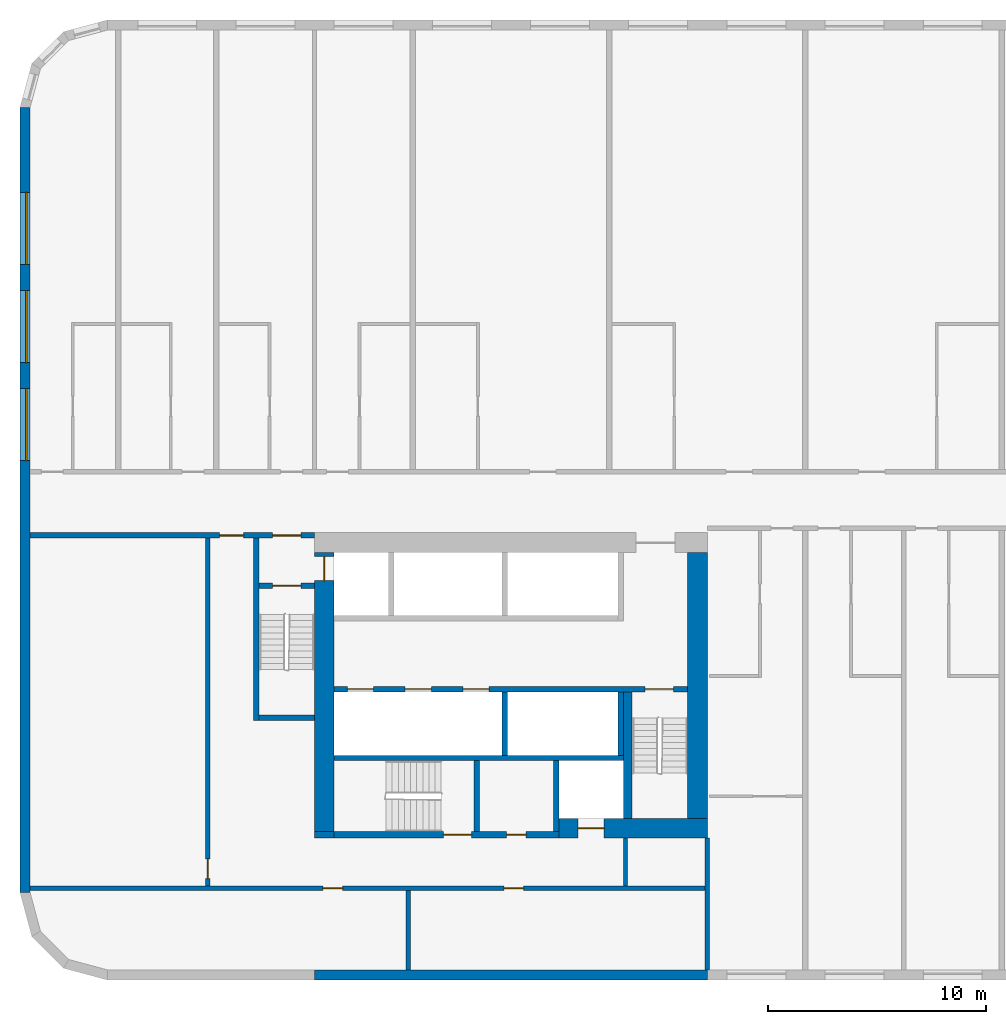
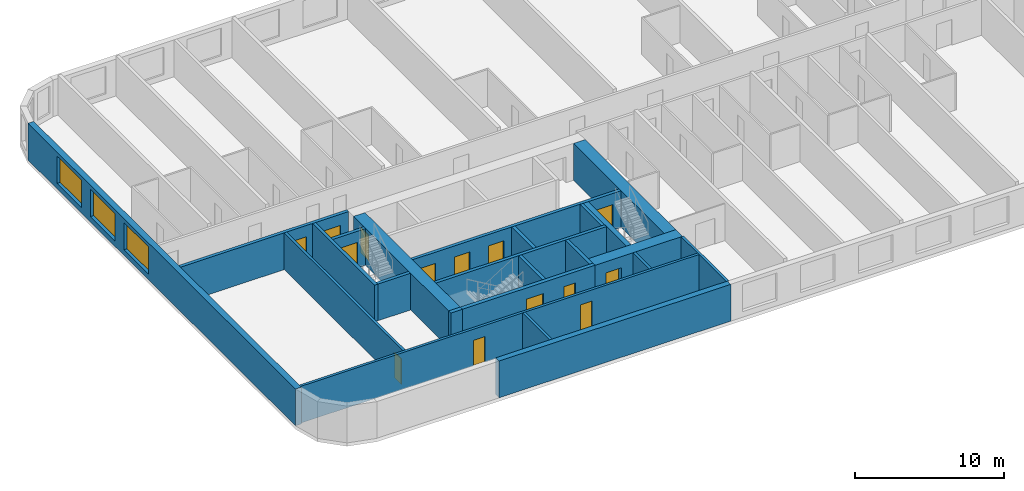
# One storey, part 2 of 12: 23 walls, 14 doors, 3 windows, 17 openings.
"""IFC4 building model written with IfcOpenShell, lengths in metres."""

import ifcopenshell
import ifcopenshell.guid

model = None  # the IFC model being written
_history = None  # IfcOwnerHistory: only IFC2X3 demands one
_inside = {}  # id of a spatial element -> (the spatial element, [elements in it])
_under = {}  # id of a project, library or spatial element -> (it, [spatial elements below it])
_declared = {}  # id of a project -> (the project, [libraries it declares])
_typed = {}  # id of a type object -> (the type object, [elements of that type])
_made_of = {}  # id of a material, layer set ... -> (it, [elements and type objects made of it])


def new_model(schema):
    """Start an empty IFC model of exactly this schema.

    Asked for "IFC4X3", IfcOpenShell would pick the latest addendum, in which some entities
    have other attributes; the version numbers below select the first issue.
    IFC2X3 requires an IfcOwnerHistory on every rooted entity: one is made here for all.
    """
    global model, _history
    if schema == "IFC4X3":
        model = ifcopenshell.file(schema_version=(4, 3, 0, 0))
    else:
        model = ifcopenshell.file(schema=schema)
    _inside.clear()
    _under.clear()
    _declared.clear()
    _typed.clear()
    _made_of.clear()
    _history = None
    if model.schema == "IFC2X3":
        org = make("IfcOrganization", Name="unknown")
        user = make(
            "IfcPersonAndOrganization",
            ThePerson=make("IfcPerson", FamilyName="unknown"),
            TheOrganization=org,
        )
        app = make(
            "IfcApplication",
            ApplicationDeveloper=org,
            Version="unknown",
            ApplicationFullName="unknown",
            ApplicationIdentifier="unknown",
        )
        _history = make(
            "IfcOwnerHistory",
            OwningUser=user,
            OwningApplication=app,
            ChangeAction="ADDED",
            CreationDate=0,
        )
    return model


def make(cls, **values):
    """One entity of the class cls with the attributes given. An attribute that is None is left unset."""
    return model.create_entity(
        cls, **{name: value for name, value in values.items() if value is not None}
    )


def rooted(cls, **values):
    """An entity with a GlobalId (a new one), such as an element, a storey or a relation."""
    return make(cls, GlobalId=ifcopenshell.guid.new(), OwnerHistory=_history, **values)


def si_unit(unit_type, name, prefix=None):
    """IfcSIUnit, for example si_unit("LENGTHUNIT", "METRE", prefix="MILLI")."""
    return make("IfcSIUnit", UnitType=unit_type, Prefix=prefix, Name=name)


def assignment(units):
    """IfcUnitAssignment: the units of a project."""
    return None if units is None else make("IfcUnitAssignment", Units=units)


def point(xyz):
    """IfcCartesianPoint."""
    return None if xyz is None else make("IfcCartesianPoint", Coordinates=xyz)


def direction(xyz):
    """IfcDirection."""
    return None if xyz is None else make("IfcDirection", DirectionRatios=xyz)


def frame(location, z_axis=None, x_axis=None):
    """IfcAxis2Placement3D, a coordinate frame: its origin and axes. An axis left out is left unset."""
    return make(
        "IfcAxis2Placement3D",
        Location=point(location),
        Axis=direction(z_axis),
        RefDirection=direction(x_axis),
    )


def frame_2d(location, x_axis=None):
    """IfcAxis2Placement2D, a coordinate frame in the plane: its origin and x axis."""
    return make(
        "IfcAxis2Placement2D", Location=point(location), RefDirection=direction(x_axis)
    )


def origin():
    """The frame at (0, 0, 0) with its axes left unset."""
    return frame((0.0, 0.0, 0.0))


def place(relative_to, where):
    """IfcLocalPlacement: puts the frame where relative to a parent placement (None: the world)."""
    return make(
        "IfcLocalPlacement", PlacementRelTo=relative_to, RelativePlacement=where
    )


def context(
    kind, dimensions, precision=None, world=None, true_north=None, identifier=None
):
    """IfcGeometricRepresentationContext, for example the 3D "Model" context."""
    return make(
        "IfcGeometricRepresentationContext",
        ContextIdentifier=identifier,
        ContextType=kind,
        CoordinateSpaceDimension=dimensions,
        Precision=precision,
        WorldCoordinateSystem=world,
        TrueNorth=true_north,
    )


def subcontext(parent, identifier, kind, view, scale=None):
    """IfcGeometricRepresentationSubContext, for example "Body" below "Model"."""
    return make(
        "IfcGeometricRepresentationSubContext",
        ContextIdentifier=identifier,
        ContextType=kind,
        ParentContext=parent,
        TargetScale=scale,
        TargetView=view,
    )


def project(units=None, contexts=None):
    """IfcProject with its units and contexts."""
    return rooted(
        "IfcProject",
        Name="project",
        RepresentationContexts=contexts,
        UnitsInContext=assignment(units),
    )


def spatial(cls, under=None, at=None, **own):
    """A site, building, storey or space (cls), placed at a placement, below another one or the project."""
    s = rooted(cls, ObjectPlacement=at, **own)
    if under is not None:
        _under.setdefault(under.id(), (under, []))[1].append(s)
    return s


def profile(cls, at=None, kind="AREA", **sizes):
    """A parametric profile (cls). Its sizes go by their IFC names, for example OverallWidth=200.0."""
    return make(cls, ProfileType=kind, Position=at, **sizes)


def rectangle(**sizes):
    """IfcRectangleProfileDef."""
    return profile("IfcRectangleProfileDef", **sizes)


def extrude(swept, where, along, depth):
    """IfcExtrudedAreaSolid: the profile swept, set in the frame where, extruded along a direction by depth."""
    return make(
        "IfcExtrudedAreaSolid",
        SweptArea=swept,
        Position=where,
        ExtrudedDirection=direction(along),
        Depth=depth,
    )


def shape(context_of_items, identifier, shape_type, items):
    """IfcShapeRepresentation: the items that make up one representation, for example the "Body"."""
    return make(
        "IfcShapeRepresentation",
        ContextOfItems=context_of_items,
        RepresentationIdentifier=identifier,
        RepresentationType=shape_type,
        Items=items,
    )


def material(Name=None, Category=None):
    """IfcMaterial."""
    return make("IfcMaterial", Name=Name, Category=Category)


def layer(
    of_material, thickness, ventilated=None, Name=None, Category=None, Priority=None
):
    """IfcMaterialLayer: one layer of a wall or slab, of a material (None: an air gap)."""
    return make(
        "IfcMaterialLayer",
        Material=of_material,
        LayerThickness=thickness,
        IsVentilated=ventilated,
        Name=Name,
        Category=Category,
        Priority=Priority,
    )


def layer_set(layers, Name=None):
    """IfcMaterialLayerSet."""
    return make("IfcMaterialLayerSet", MaterialLayers=layers, LayerSetName=Name)


def made_of(thing, what):
    """Note that an element or type object is made of a material, layer set ...; save() writes the relation."""
    if what is not None:
        _made_of.setdefault(what.id(), (what, []))[1].append(thing)
    return thing


def type_object(cls, material=None, **own):
    """A type object (cls), such as IfcWallType, which elements share."""
    return made_of(rooted(cls, **own), material)


def element(
    cls,
    number,
    at=None,
    inside=None,
    cuts=None,
    type_object=None,
    material=None,
    context=None,
    identifier="Body",
    shape_type=None,
    held_by="IfcProductDefinitionShape",
    body=None,
    shapes=None,
    **own,
):
    """One element of the class cls, such as IfcWall. Its Tag is "e" and its number.

    at: its placement. inside: the storey or other place that contains it. cuts: it is an
    opening in that element (IfcRelVoidsElement). A single representation is given by context,
    identifier, shape_type and body (its items); several are given by shapes. held_by: the class
    of the entity that holds the representations. save() writes the other relations.
    """
    e = rooted(cls, Tag="e%d" % number, ObjectPlacement=at, **own)
    if body is not None:
        shapes = [shape(context, identifier, shape_type, body)]
    if shapes is not None:
        e.Representation = make(held_by, Representations=shapes)
    if inside is not None:
        _inside.setdefault(inside.id(), (inside, []))[1].append(e)
    if cuts is not None:
        rooted(
            "IfcRelVoidsElement", RelatingBuildingElement=cuts, RelatedOpeningElement=e
        )
    if type_object is not None:
        _typed.setdefault(type_object.id(), (type_object, []))[1].append(e)
    return made_of(e, material)


def fill(opening, filler):
    """IfcRelFillsElement: the door or window that sits in an opening."""
    return rooted(
        "IfcRelFillsElement",
        RelatingOpeningElement=opening,
        RelatedBuildingElement=filler,
    )


def aggregate(whole, parts):
    """IfcRelAggregates: a whole, such as a stair, and the parts it consists of."""
    return rooted("IfcRelAggregates", RelatingObject=whole, RelatedObjects=parts)


def save(model, path):
    """Write the relations noted so far, then the file.

    IfcRelAggregates (storeys below a building ...), IfcRelContainedInSpatialStructure (elements
    in a storey), IfcRelDefinesByType, IfcRelAssociatesMaterial and IfcRelDeclares: one each for
    every whole, place, type object, material and project.
    """
    for whole, parts in _under.values():
        aggregate(whole, parts)
    for where, things in _inside.values():
        rooted(
            "IfcRelContainedInSpatialStructure",
            RelatedElements=things,
            RelatingStructure=where,
        )
    for kind, things in _typed.values():
        rooted("IfcRelDefinesByType", RelatedObjects=things, RelatingType=kind)
    for what, things in _made_of.values():
        rooted("IfcRelAssociatesMaterial", RelatedObjects=things, RelatingMaterial=what)
    for by, libraries in _declared.values():
        rooted("IfcRelDeclares", RelatingContext=by, RelatedDefinitions=libraries)
    model.write(path)


model = new_model("IFC4")

# Units and contexts
model_context = context("Model", 3, precision=1e-05, world=origin(), true_north=direction((0.0, 1.0)))
body_context = subcontext(model_context, "Body", "Model", "MODEL_VIEW")
ifc_project = project(units=[si_unit("LENGTHUNIT", "METRE"), si_unit("AREAUNIT", "SQUARE_METRE"), si_unit("VOLUMEUNIT", "CUBIC_METRE"), si_unit("PLANEANGLEUNIT", "RADIAN"), si_unit("MASSUNIT", "GRAM", prefix="KILO")], contexts=[model_context])

# Site, building, storey
site_placement = place(None, origin())
site = spatial("IfcSite", under=ifc_project, at=site_placement, CompositionType="ELEMENT")
building_placement = place(site_placement, origin())
building = spatial("IfcBuilding", under=site, at=building_placement, Name="Kajstack Hotel Tower", CompositionType="ELEMENT")
storey_placement = place(building_placement, frame((0.0, 0.0, 86.39990234375)))
storey = spatial("IfcBuildingStorey", under=building, at=storey_placement, Name="L17", CompositionType="ELEMENT", Elevation=86.39990234375)

# Wall, opening, door
ifc_material_1 = material(Name="Concrete C60/75", Category="concrete")
ifc_layer_1 = layer(ifc_material_1, 0.89990234375)
ifc_layer_set_1 = layer_set([ifc_layer_1], Name="Core wall 900")
wall_type_1 = type_object("IfcWallType", Name="Core wall 900", PredefinedType="SHEAR", material=ifc_layer_set_1)
wall_1_placement = place(storey_placement, frame((-20.300048828125, -15.050048828125, 0.0), z_axis=(0.0, 0.0, 1.0), x_axis=(1.0, 0.0, 0.0)))
wall_1 = element("IfcWall", 1, at=wall_1_placement, inside=storey, type_object=wall_type_1, Name="Core wall W RS", PredefinedType="SHEAR", context=body_context, shape_type="SweptSolid", body=[
    extrude(rectangle(XDim=6.800048828125, YDim=0.89990234375, at=frame_2d((3.39990234375, 0.0))), origin(), (0.0, 0.0, 1.0), 3.02001953125),
])
opening_1_placement = place(wall_1_placement, frame((0.875, 0.0, 0.0)))
opening_1 = element("IfcOpeningElement", 2, at=opening_1_placement, cuts=wall_1, Name="Opening LD-SV1", PredefinedType="OPENING", context=body_context, shape_type="SweptSolid", body=[
    extrude(rectangle(XDim=1.199951171875, YDim=2.10009765625, at=frame_2d((0.60009765625, 1.050048828125))), frame((0.0, 0.4599609375, 0.0), z_axis=(0.0, -1.0, 0.0), x_axis=(1.0, 0.0, 0.0)), (0.0, 0.0, 1.0), 0.919921875),
])
ifc_material_2 = material(Name="Stainless steel", Category="steel")
door_type_1 = type_object("IfcDoorType", Name="Lift landing door 1200", OperationType="SLIDING_TO_LEFT", PredefinedType="DOOR", material=ifc_material_2)
door_1_placement = place(opening_1_placement, origin())
door_1 = element("IfcDoor", 3, at=door_1_placement, inside=storey, type_object=door_type_1, Name="Landing door SV1", OperationType="SLIDING_TO_LEFT", OverallHeight=2.10009765625, OverallWidth=1.199951171875, PredefinedType="DOOR", context=body_context, shape_type="SweptSolid", body=[
    extrude(rectangle(XDim=1.199951171875, YDim=2.10009765625, at=frame_2d((0.60009765625, 1.050048828125))), frame((0.0, 0.02490234375, 0.0), z_axis=(0.0, -1.0, 0.0), x_axis=(1.0, 0.0, 0.0)), (0.0, 0.0, 1.0), 0.050048828125),
])
fill(opening_1, door_1)

# Wall
wall_2_placement = place(storey_placement, frame((-31.5, -15.35009765625, 0.0), z_axis=(0.0, 0.0, 1.0), x_axis=(1.0, 0.0, 0.0)))
element("IfcWall", 4, at=wall_2_placement, inside=storey, type_object=wall_type_1, Name="Core wall W RSW", PredefinedType="SHEAR", context=body_context, shape_type="SweptSolid", body=[
    extrude(rectangle(XDim=0.89990234375, YDim=0.300048828125, at=frame_2d((0.449951171875, 0.0))), origin(), (0.0, 0.0, 1.0), 3.02001953125),
])

# Wall, opening, door
wall_3_placement = place(storey_placement, frame((-31.050048828125, -15.199951171875, 0.0), z_axis=(0.0, 0.0, 1.0), x_axis=(0.0, 1.0, 0.0)))
wall_3 = element("IfcWall", 5, at=wall_3_placement, inside=storey, type_object=wall_type_1, Name="Core wall W RW", PredefinedType="SHEAR", context=body_context, shape_type="SweptSolid", body=[
    extrude(rectangle(XDim=12.800048828125, YDim=0.89990234375, at=frame_2d((6.39990234375, 0.0))), origin(), (0.0, 0.0, 1.0), 3.02001953125),
])
opening_2_placement = place(wall_3_placement, frame((11.5, 0.0, 0.0)))
opening_2 = element("IfcOpeningElement", 6, at=opening_2_placement, cuts=wall_3, Name="Opening LD-FF1", PredefinedType="OPENING", context=body_context, shape_type="SweptSolid", body=[
    extrude(rectangle(XDim=1.10009765625, YDim=2.10009765625, at=frame_2d((0.550048828125, 1.050048828125))), frame((0.0, 0.4599609375, 0.0), z_axis=(0.0, -1.0, 0.0), x_axis=(1.0, 0.0, 0.0)), (0.0, 0.0, 1.0), 0.919921875),
])
door_type_2 = type_object("IfcDoorType", Name="Fire-fighting lift landing door 1100", OperationType="SLIDING_TO_LEFT", PredefinedType="DOOR", material=ifc_material_2)
door_2_placement = place(opening_2_placement, origin())
door_2 = element("IfcDoor", 7, at=door_2_placement, inside=storey, type_object=door_type_2, Name="Landing door FF1", OperationType="SLIDING_TO_RIGHT", OverallHeight=2.10009765625, OverallWidth=1.10009765625, PredefinedType="DOOR", context=body_context, shape_type="SweptSolid", body=[
    extrude(rectangle(XDim=1.10009765625, YDim=2.10009765625, at=frame_2d((0.550048828125, 1.050048828125))), frame((0.0, 0.02490234375, 0.0), z_axis=(0.0, -1.0, 0.0), x_axis=(1.0, 0.0, 0.0)), (0.0, 0.0, 1.0), 0.050048828125),
])
fill(opening_2, door_2)

# Walls
wall_4_placement = place(storey_placement, frame((-13.949951171875, -14.60009765625, 0.0), z_axis=(0.0, 0.0, 1.0), x_axis=(0.0, 1.0, 0.0)))
element("IfcWall", 8, at=wall_4_placement, inside=storey, type_object=wall_type_1, Name="Core wall W RE", PredefinedType="SHEAR", context=body_context, shape_type="SweptSolid", body=[
    extrude(rectangle(XDim=12.2001953125, YDim=0.89990234375, at=frame_2d((6.10009765625, 0.0))), origin(), (0.0, 0.0, 1.0), 3.02001953125),
])
ifc_material_3 = material(Name="Twin-frame gypsum board on steel studs, mineral wool", Category="steel")
ifc_layer_2 = layer(ifc_material_3, 0.199951171875)
ifc_layer_set_2 = layer_set([ifc_layer_2], Name="Demising wall 200")
wall_type_2 = type_object("IfcWallType", Name="Demising wall 200", PredefinedType="PARTITIONING", material=ifc_layer_set_2)
wall_5_placement = place(storey_placement, frame((-13.5, -21.550048828125, 0.0), z_axis=(0.0, 0.0, 1.0), x_axis=(0.0, 1.0, 0.0)))
element("IfcWall", 9, at=wall_5_placement, inside=storey, type_object=wall_type_2, Name="G-wall-L17-002", PredefinedType="PARTITIONING", context=body_context, shape_type="SweptSolid", body=[
    extrude(rectangle(XDim=6.050048828125, YDim=0.199951171875, at=frame_2d((3.02490234375, 0.0))), origin(), (0.0, 0.0, 1.0), 3.02001953125),
])
ifc_material_4 = material(Name="Concrete C40/50", Category="concrete")
ifc_layer_3 = layer(ifc_material_4, 0.449951171875)
ifc_layer_set_3 = layer_set([ifc_layer_3], Name="EW-CORE")
wall_type_3 = type_object("IfcWallType", Name="EW-CORE", PredefinedType="SOLIDWALL", material=ifc_layer_set_3)
wall_6_placement = place(storey_placement, frame((-31.5, -21.77490234375, 0.0), z_axis=(0.0, 0.0, 1.0), x_axis=(1.0, 0.0, 0.0)))
element("IfcWall", 10, at=wall_6_placement, inside=storey, type_object=wall_type_3, Name="E-wall-L17-03-01", PredefinedType="SOLIDWALL", context=body_context, shape_type="SweptSolid", body=[
    extrude(rectangle(XDim=18.0, YDim=0.449951171875, at=frame_2d((9.0, 0.0))), origin(), (0.0, 0.0, 1.0), 3.02001953125),
])

# Wall, openings, windows
ifc_material_5 = material(Name="Terracotta-faced brick masonry", Category="masonry")
ifc_layer_4 = layer(ifc_material_5, 0.449951171875)
ifc_layer_set_4 = layer_set([ifc_layer_4], Name="EW-TERRA")
wall_type_4 = type_object("IfcWallType", Name="EW-TERRA", PredefinedType="SOLIDWALL", material=ifc_layer_set_4)
wall_7_placement = place(storey_placement, frame((-44.77490234375, 18.0, 0.0), z_axis=(0.0, 0.0, 1.0), x_axis=(0.0, -1.0, 0.0)))
wall_7 = element("IfcWall", 11, at=wall_7_placement, inside=storey, type_object=wall_type_4, Name="E-wall-L17-15-00", PredefinedType="SOLIDWALL", context=body_context, shape_type="SweptSolid", body=[
    extrude(rectangle(XDim=36.0, YDim=0.449951171875, at=frame_2d((18.0, 0.0))), origin(), (0.0, 0.0, 1.0), 3.02001953125),
])
opening_3_placement = place(wall_7_placement, frame((3.89990234375, 0.0, 0.449951171875)))
opening_3 = element("IfcOpeningElement", 12, at=opening_3_placement, cuts=wall_7, Name="Opening W2", PredefinedType="OPENING", context=body_context, shape_type="SweptSolid", body=[
    extrude(rectangle(XDim=3.300048828125, YDim=2.25, at=frame_2d((1.64990234375, 1.125))), frame((0.0, 0.23486328125, 0.0), z_axis=(0.0, -1.0, 0.0), x_axis=(1.0, 0.0, 0.0)), (0.0, 0.0, 1.0), 0.469970703125),
])
opening_4_placement = place(wall_7_placement, frame((8.39990234375, 0.0, 0.449951171875)))
opening_4 = element("IfcOpeningElement", 13, at=opening_4_placement, cuts=wall_7, Name="Opening W2", PredefinedType="OPENING", context=body_context, shape_type="SweptSolid", body=[
    extrude(rectangle(XDim=3.300048828125, YDim=2.25, at=frame_2d((1.64990234375, 1.125))), frame((0.0, 0.23486328125, 0.0), z_axis=(0.0, -1.0, 0.0), x_axis=(1.0, 0.0, 0.0)), (0.0, 0.0, 1.0), 0.469970703125),
])
opening_5_placement = place(wall_7_placement, frame((12.89990234375, 0.0, 0.449951171875)))
opening_5 = element("IfcOpeningElement", 14, at=opening_5_placement, cuts=wall_7, Name="Opening W2", PredefinedType="OPENING", context=body_context, shape_type="SweptSolid", body=[
    extrude(rectangle(XDim=3.300048828125, YDim=2.25, at=frame_2d((1.64990234375, 1.125))), frame((0.0, 0.23486328125, 0.0), z_axis=(0.0, -1.0, 0.0), x_axis=(1.0, 0.0, 0.0)), (0.0, 0.0, 1.0), 0.469970703125),
])
ifc_material_6 = material(Name="Timber-aluminium window, triple glazed", Category="wood")
window_type = type_object("IfcWindowType", Name="WG2", PartitioningType="SINGLE_PANEL", PredefinedType="WINDOW", material=ifc_material_6)
window_1_placement = place(opening_3_placement, origin())
window_1 = element("IfcWindow", 15, at=window_1_placement, inside=storey, type_object=window_type, Name="Window W2 L17-15", OverallHeight=2.25, OverallWidth=3.300048828125, PartitioningType="SINGLE_PANEL", PredefinedType="WINDOW", context=body_context, shape_type="SweptSolid", body=[
    extrude(rectangle(XDim=3.300048828125, YDim=2.25, at=frame_2d((1.64990234375, 1.125))), frame((0.0, 0.090087890625, 0.0), z_axis=(0.0, -1.0, 0.0), x_axis=(1.0, 0.0, 0.0)), (0.0, 0.0, 1.0), 0.06005859375),
])
fill(opening_3, window_1)
window_2_placement = place(opening_4_placement, origin())
window_2 = element("IfcWindow", 16, at=window_2_placement, inside=storey, type_object=window_type, Name="Window W2 L17-15", OverallHeight=2.25, OverallWidth=3.300048828125, PartitioningType="SINGLE_PANEL", PredefinedType="WINDOW", context=body_context, shape_type="SweptSolid", body=[
    extrude(rectangle(XDim=3.300048828125, YDim=2.25, at=frame_2d((1.64990234375, 1.125))), frame((0.0, 0.090087890625, 0.0), z_axis=(0.0, -1.0, 0.0), x_axis=(1.0, 0.0, 0.0)), (0.0, 0.0, 1.0), 0.06005859375),
])
fill(opening_4, window_2)
window_3_placement = place(opening_5_placement, origin())
window_3 = element("IfcWindow", 17, at=window_3_placement, inside=storey, type_object=window_type, Name="Window W2 L17-15", OverallHeight=2.25, OverallWidth=3.300048828125, PartitioningType="SINGLE_PANEL", PredefinedType="WINDOW", context=body_context, shape_type="SweptSolid", body=[
    extrude(rectangle(XDim=3.300048828125, YDim=2.25, at=frame_2d((1.64990234375, 1.125))), frame((0.0, 0.090087890625, 0.0), z_axis=(0.0, -1.0, 0.0), x_axis=(1.0, 0.0, 0.0)), (0.0, 0.0, 1.0), 0.06005859375),
])
fill(opening_5, window_3)

# Wall
ifc_material_7 = material(Name="Concrete C50/60", Category="concrete")
ifc_layer_5 = layer(ifc_material_7, 0.300048828125)
ifc_layer_set_5 = layer_set([ifc_layer_5], Name="Hoistway divider wall 300")
wall_type_5 = type_object("IfcWallType", Name="Hoistway divider wall 300", PredefinedType="SHEAR", material=ifc_layer_set_5)
wall_8_placement = place(storey_placement, frame((-22.77490234375, -11.699951171875, 0.0), z_axis=(0.0, 0.0, 1.0), x_axis=(0.0, 1.0, 0.0)))
element("IfcWall", 18, at=wall_8_placement, inside=storey, type_object=wall_type_5, Name="Core wall W BP2", PredefinedType="SHEAR", context=body_context, shape_type="SweptSolid", body=[
    extrude(rectangle(XDim=2.89990234375, YDim=0.25, at=frame_2d((1.449951171875, 0.0))), origin(), (0.0, 0.0, 1.0), 3.02001953125),
])

# Wall, openings, doors
ifc_material_8 = material(Name="Gypsum board on steel studs, mineral wool", Category="steel")
ifc_layer_6 = layer(ifc_material_8, 0.199951171875)
ifc_layer_set_6 = layer_set([ifc_layer_6], Name="Service partition 200")
wall_type_6 = type_object("IfcWallType", Name="Service partition 200", PredefinedType="PARTITIONING", material=ifc_layer_set_6)
wall_9_placement = place(storey_placement, frame((-44.550048828125, -1.625, 0.0), z_axis=(0.0, 0.0, 1.0), x_axis=(1.0, 0.0, 0.0)))
wall_9 = element("IfcWall", 19, at=wall_9_placement, inside=storey, type_object=wall_type_6, Name="Partition W SN", PredefinedType="PARTITIONING", context=body_context, shape_type="SweptSolid", body=[
    extrude(rectangle(XDim=13.050048828125, YDim=0.25, at=frame_2d((6.52490234375, 0.0))), origin(), (0.0, 0.0, 1.0), 3.02001953125),
])
opening_6_placement = place(wall_9_placement, frame((11.125, 0.0, 0.0)))
opening_6 = element("IfcOpeningElement", 20, at=opening_6_placement, cuts=wall_9, Name="Opening 17W07", PredefinedType="OPENING", context=body_context, shape_type="SweptSolid", body=[
    extrude(rectangle(XDim=1.300048828125, YDim=2.10009765625, at=frame_2d((0.64990234375, 1.050048828125))), frame((0.0, 0.135009765625, 0.0), z_axis=(0.0, -1.0, 0.0), x_axis=(1.0, 0.0, 0.0)), (0.0, 0.0, 1.0), 0.27001953125),
])
opening_7_placement = place(wall_9_placement, frame((8.699951171875, 0.0, 0.0)))
opening_7 = element("IfcOpeningElement", 21, at=opening_7_placement, cuts=wall_9, Name="Opening 17W09", PredefinedType="OPENING", context=body_context, shape_type="SweptSolid", body=[
    extrude(rectangle(XDim=1.10009765625, YDim=2.10009765625, at=frame_2d((0.550048828125, 1.050048828125))), frame((0.0, 0.135009765625, 0.0), z_axis=(0.0, -1.0, 0.0), x_axis=(1.0, 0.0, 0.0)), (0.0, 0.0, 1.0), 0.27001953125),
])
ifc_material_9 = material(Name="Steel leaf, fire-rated", Category="steel")
door_type_3 = type_object("IfcDoorType", Name="Fire lobby door 1300", OperationType="SINGLE_SWING_LEFT", PredefinedType="DOOR", material=ifc_material_9)
door_3_placement = place(opening_6_placement, origin())
door_3 = element("IfcDoor", 22, at=door_3_placement, inside=storey, type_object=door_type_3, Name="Door 17W07", OperationType="SINGLE_SWING_RIGHT", OverallHeight=2.10009765625, OverallWidth=1.300048828125, PredefinedType="DOOR", context=body_context, shape_type="SweptSolid", body=[
    extrude(rectangle(XDim=1.300048828125, YDim=2.10009765625, at=frame_2d((0.64990234375, 1.050048828125))), frame((0.0, 0.02490234375, 0.0), z_axis=(0.0, -1.0, 0.0), x_axis=(1.0, 0.0, 0.0)), (0.0, 0.0, 1.0), 0.050048828125),
])
fill(opening_6, door_3)
ifc_material_10 = material(Name="Timber leaf, fire-rated", Category="wood")
door_type_4 = type_object("IfcDoorType", Name="Service corridor door 1100", OperationType="SINGLE_SWING_LEFT", PredefinedType="DOOR", material=ifc_material_10)
door_4_placement = place(opening_7_placement, origin())
door_4 = element("IfcDoor", 23, at=door_4_placement, inside=storey, type_object=door_type_4, Name="Door 17W09", OperationType="SINGLE_SWING_RIGHT", OverallHeight=2.10009765625, OverallWidth=1.10009765625, PredefinedType="DOOR", context=body_context, shape_type="SweptSolid", body=[
    extrude(rectangle(XDim=1.10009765625, YDim=2.10009765625, at=frame_2d((0.550048828125, 1.050048828125))), frame((0.0, 0.02490234375, 0.0), z_axis=(0.0, -1.0, 0.0), x_axis=(1.0, 0.0, 0.0)), (0.0, 0.0, 1.0), 0.050048828125),
])
fill(opening_7, door_4)

# Wall
wall_10_placement = place(storey_placement, frame((-17.25, -17.699951171875, 0.0), z_axis=(0.0, 0.0, 1.0), x_axis=(0.0, 1.0, 0.0)))
element("IfcWall", 24, at=wall_10_placement, inside=storey, type_object=wall_type_6, Name="Partition W SCE", PredefinedType="PARTITIONING", context=body_context, shape_type="SweptSolid", body=[
    extrude(rectangle(XDim=2.199951171875, YDim=0.199951171875, at=frame_2d((1.10009765625, 0.0))), origin(), (0.0, 0.0, 1.0), 3.02001953125),
])

# Wall, opening, door
wall_11_placement = place(storey_placement, frame((-36.39990234375, -17.699951171875, 0.0), z_axis=(0.0, 0.0, 1.0), x_axis=(0.0, 1.0, 0.0)))
wall_11 = element("IfcWall", 25, at=wall_11_placement, inside=storey, type_object=wall_type_6, Name="Partition W WRE", PredefinedType="PARTITIONING", context=body_context, shape_type="SweptSolid", body=[
    extrude(rectangle(XDim=15.949951171875, YDim=0.199951171875, at=frame_2d((7.97509765625, 0.0))), origin(), (0.0, 0.0, 1.0), 3.02001953125),
])
opening_8_placement = place(wall_11_placement, frame((0.35009765625, 0.0, 0.0)))
opening_8 = element("IfcOpeningElement", 26, at=opening_8_placement, cuts=wall_11, Name="Opening 17W15", PredefinedType="OPENING", context=body_context, shape_type="SweptSolid", body=[
    extrude(rectangle(XDim=0.89990234375, YDim=2.10009765625, at=frame_2d((0.449951171875, 1.050048828125))), frame((0.0, 0.10986328125, 0.0), z_axis=(0.0, -1.0, 0.0), x_axis=(1.0, 0.0, 0.0)), (0.0, 0.0, 1.0), 0.219970703125),
])
door_type_5 = type_object("IfcDoorType", Name="Service door 900", OperationType="SINGLE_SWING_LEFT", PredefinedType="DOOR", material=ifc_material_10)
door_5_placement = place(opening_8_placement, origin())
door_5 = element("IfcDoor", 27, at=door_5_placement, inside=storey, type_object=door_type_5, Name="Door 17W15", OperationType="SINGLE_SWING_LEFT", OverallHeight=2.10009765625, OverallWidth=0.89990234375, PredefinedType="DOOR", context=body_context, shape_type="SweptSolid", body=[
    extrude(rectangle(XDim=0.89990234375, YDim=2.10009765625, at=frame_2d((0.449951171875, 1.050048828125))), frame((0.0, 0.02490234375, 0.0), z_axis=(0.0, -1.0, 0.0), x_axis=(1.0, 0.0, 0.0)), (0.0, 0.0, 1.0), 0.050048828125),
])
fill(opening_8, door_5)

# Wall, openings, doors
wall_12_placement = place(storey_placement, frame((-44.550048828125, -17.800048828125, 0.0), z_axis=(0.0, 0.0, 1.0), x_axis=(1.0, 0.0, 0.0)))
wall_12 = element("IfcWall", 28, at=wall_12_placement, inside=storey, type_object=wall_type_6, Name="Partition W SLN", PredefinedType="PARTITIONING", context=body_context, shape_type="SweptSolid", body=[
    extrude(rectangle(XDim=30.949951171875, YDim=0.199951171875, at=frame_2d((15.47509765625, 0.0))), origin(), (0.0, 0.0, 1.0), 3.02001953125),
])
opening_9_placement = place(wall_12_placement, frame((13.4375, 0.0, 0.0)))
opening_9 = element("IfcOpeningElement", 29, at=opening_9_placement, cuts=wall_12, Name="Opening 17W13", PredefinedType="OPENING", context=body_context, shape_type="SweptSolid", body=[
    extrude(rectangle(XDim=0.89990234375, YDim=2.10009765625, at=frame_2d((0.449951171875, 1.050048828125))), frame((0.0, 0.10986328125, 0.0), z_axis=(0.0, -1.0, 0.0), x_axis=(1.0, 0.0, 0.0)), (0.0, 0.0, 1.0), 0.219970703125),
])
opening_10_placement = place(wall_12_placement, frame((21.737548828125, 0.0, 0.0)))
opening_10 = element("IfcOpeningElement", 30, at=opening_10_placement, cuts=wall_12, Name="Opening 17W14", PredefinedType="OPENING", context=body_context, shape_type="SweptSolid", body=[
    extrude(rectangle(XDim=0.89990234375, YDim=2.10009765625, at=frame_2d((0.449951171875, 1.050048828125))), frame((0.0, 0.10986328125, 0.0), z_axis=(0.0, -1.0, 0.0), x_axis=(1.0, 0.0, 0.0)), (0.0, 0.0, 1.0), 0.219970703125),
])
door_6_placement = place(opening_9_placement, origin())
door_6 = element("IfcDoor", 31, at=door_6_placement, inside=storey, type_object=door_type_5, Name="Door 17W13", OperationType="SINGLE_SWING_RIGHT", OverallHeight=2.10009765625, OverallWidth=0.89990234375, PredefinedType="DOOR", context=body_context, shape_type="SweptSolid", body=[
    extrude(rectangle(XDim=0.89990234375, YDim=2.10009765625, at=frame_2d((0.449951171875, 1.050048828125))), frame((0.0, 0.02490234375, 0.0), z_axis=(0.0, -1.0, 0.0), x_axis=(1.0, 0.0, 0.0)), (0.0, 0.0, 1.0), 0.050048828125),
])
fill(opening_9, door_6)
door_7_placement = place(opening_10_placement, origin())
door_7 = element("IfcDoor", 32, at=door_7_placement, inside=storey, type_object=door_type_5, Name="Door 17W14", OperationType="SINGLE_SWING_RIGHT", OverallHeight=2.10009765625, OverallWidth=0.89990234375, PredefinedType="DOOR", context=body_context, shape_type="SweptSolid", body=[
    extrude(rectangle(XDim=0.89990234375, YDim=2.10009765625, at=frame_2d((0.449951171875, 1.050048828125))), frame((0.0, 0.02490234375, 0.0), z_axis=(0.0, -1.0, 0.0), x_axis=(1.0, 0.0, 0.0)), (0.0, 0.0, 1.0), 0.050048828125),
])
fill(opening_10, door_7)

# Wall
wall_13_placement = place(storey_placement, frame((-27.199951171875, -21.550048828125, 0.0), z_axis=(0.0, 0.0, 1.0), x_axis=(0.0, 1.0, 0.0)))
element("IfcWall", 33, at=wall_13_placement, inside=storey, type_object=wall_type_6, Name="Partition W SLP0", PredefinedType="PARTITIONING", context=body_context, shape_type="SweptSolid", body=[
    extrude(rectangle(XDim=3.650146484375, YDim=0.199951171875, at=frame_2d((1.8251953125, 0.0))), origin(), (0.0, 0.0, 1.0), 3.02001953125),
])

# Wall, openings, doors
ifc_layer_7 = layer(ifc_material_7, 0.25)
ifc_layer_set_7 = layer_set([ifc_layer_7], Name="Shaft wall 250")
wall_type_7 = type_object("IfcWallType", Name="Shaft wall 250", PredefinedType="SHEAR", material=ifc_layer_set_7)
wall_14_placement = place(storey_placement, frame((-30.60009765625, -15.35009765625, 0.0), z_axis=(0.0, 0.0, 1.0), x_axis=(1.0, 0.0, 0.0)))
wall_14 = element("IfcWall", 34, at=wall_14_placement, inside=storey, type_object=wall_type_7, Name="Core wall W RSS", PredefinedType="SHEAR", context=body_context, shape_type="SweptSolid", body=[
    extrude(rectangle(XDim=10.300048828125, YDim=0.300048828125, at=frame_2d((5.14990234375, 0.0))), origin(), (0.0, 0.0, 1.0), 3.02001953125),
])
opening_11_placement = place(wall_14_placement, frame((5.0, 0.0, 0.0)))
opening_11 = element("IfcOpeningElement", 35, at=opening_11_placement, cuts=wall_14, Name="Opening 17W11", PredefinedType="OPENING", context=body_context, shape_type="SweptSolid", body=[
    extrude(rectangle(XDim=1.300048828125, YDim=2.10009765625, at=frame_2d((0.64990234375, 1.050048828125))), frame((0.0, 0.159912109375, 0.0), z_axis=(0.0, -1.0, 0.0), x_axis=(1.0, 0.0, 0.0)), (0.0, 0.0, 1.0), 0.320068359375),
])
opening_12_placement = place(wall_14_placement, frame((7.89990234375, 0.0, 0.0)))
opening_12 = element("IfcOpeningElement", 36, at=opening_12_placement, cuts=wall_14, Name="Opening 17W12", PredefinedType="OPENING", context=body_context, shape_type="SweptSolid", body=[
    extrude(rectangle(XDim=0.89990234375, YDim=2.10009765625, at=frame_2d((0.449951171875, 1.050048828125))), frame((0.0, 0.159912109375, 0.0), z_axis=(0.0, -1.0, 0.0), x_axis=(1.0, 0.0, 0.0)), (0.0, 0.0, 1.0), 0.320068359375),
])
door_8_placement = place(opening_12_placement, origin())
door_8 = element("IfcDoor", 37, at=door_8_placement, inside=storey, type_object=door_type_5, Name="Door 17W12", OperationType="SINGLE_SWING_LEFT", OverallHeight=2.10009765625, OverallWidth=0.89990234375, PredefinedType="DOOR", context=body_context, shape_type="SweptSolid", body=[
    extrude(rectangle(XDim=0.89990234375, YDim=2.10009765625, at=frame_2d((0.449951171875, 1.050048828125))), frame((0.0, 0.02490234375, 0.0), z_axis=(0.0, -1.0, 0.0), x_axis=(1.0, 0.0, 0.0)), (0.0, 0.0, 1.0), 0.050048828125),
])
fill(opening_12, door_8)
door_type_6 = type_object("IfcDoorType", Name="Stair door 1300", OperationType="SINGLE_SWING_LEFT", PredefinedType="DOOR", material=ifc_material_9)
door_9_placement = place(opening_11_placement, origin())
door_9 = element("IfcDoor", 38, at=door_9_placement, inside=storey, type_object=door_type_6, Name="Door 17W11", OperationType="SINGLE_SWING_RIGHT", OverallHeight=2.10009765625, OverallWidth=1.300048828125, PredefinedType="DOOR", context=body_context, shape_type="SweptSolid", body=[
    extrude(rectangle(XDim=1.300048828125, YDim=2.10009765625, at=frame_2d((0.64990234375, 1.050048828125))), frame((0.0, 0.02490234375, 0.0), z_axis=(0.0, -1.0, 0.0), x_axis=(1.0, 0.0, 0.0)), (0.0, 0.0, 1.0), 0.050048828125),
])
fill(opening_11, door_9)

wall_15_placement = place(storey_placement, frame((-30.60009765625, -8.675048828125, 0.0), z_axis=(0.0, 0.0, 1.0), x_axis=(1.0, 0.0, 0.0)))
wall_15 = element("IfcWall", 39, at=wall_15_placement, inside=storey, type_object=wall_type_7, Name="Core wall W FB", PredefinedType="SHEAR", context=body_context, shape_type="SweptSolid", body=[
    extrude(rectangle(XDim=16.2001953125, YDim=0.25, at=frame_2d((8.10009765625, 0.0))), origin(), (0.0, 0.0, 1.0), 3.02001953125),
])
opening_13_placement = place(wall_15_placement, frame((0.60009765625, 0.0, 0.0)))
opening_13 = element("IfcOpeningElement", 40, at=opening_13_placement, cuts=wall_15, Name="Opening LD-LR1", PredefinedType="OPENING", context=body_context, shape_type="SweptSolid", body=[
    extrude(rectangle(XDim=1.199951171875, YDim=2.10009765625, at=frame_2d((0.60009765625, 1.050048828125))), frame((0.0, 0.135009765625, 0.0), z_axis=(0.0, -1.0, 0.0), x_axis=(1.0, 0.0, 0.0)), (0.0, 0.0, 1.0), 0.27001953125),
])
opening_14_placement = place(wall_15_placement, frame((3.25, 0.0, 0.0)))
opening_14 = element("IfcOpeningElement", 41, at=opening_14_placement, cuts=wall_15, Name="Opening LD-LR2", PredefinedType="OPENING", context=body_context, shape_type="SweptSolid", body=[
    extrude(rectangle(XDim=1.199951171875, YDim=2.10009765625, at=frame_2d((0.60009765625, 1.050048828125))), frame((0.0, 0.135009765625, 0.0), z_axis=(0.0, -1.0, 0.0), x_axis=(1.0, 0.0, 0.0)), (0.0, 0.0, 1.0), 0.27001953125),
])
opening_15_placement = place(wall_15_placement, frame((5.89990234375, 0.0, 0.0)))
opening_15 = element("IfcOpeningElement", 42, at=opening_15_placement, cuts=wall_15, Name="Opening LD-LR3", PredefinedType="OPENING", context=body_context, shape_type="SweptSolid", body=[
    extrude(rectangle(XDim=1.199951171875, YDim=2.10009765625, at=frame_2d((0.60009765625, 1.050048828125))), frame((0.0, 0.135009765625, 0.0), z_axis=(0.0, -1.0, 0.0), x_axis=(1.0, 0.0, 0.0)), (0.0, 0.0, 1.0), 0.27001953125),
])
opening_16_placement = place(wall_15_placement, frame((14.25, 0.0, 0.0)))
opening_16 = element("IfcOpeningElement", 43, at=opening_16_placement, cuts=wall_15, Name="Opening 17W10", PredefinedType="OPENING", context=body_context, shape_type="SweptSolid", body=[
    extrude(rectangle(XDim=1.300048828125, YDim=2.10009765625, at=frame_2d((0.64990234375, 1.050048828125))), frame((0.0, 0.135009765625, 0.0), z_axis=(0.0, -1.0, 0.0), x_axis=(1.0, 0.0, 0.0)), (0.0, 0.0, 1.0), 0.27001953125),
])
door_10_placement = place(opening_13_placement, origin())
door_10 = element("IfcDoor", 44, at=door_10_placement, inside=storey, type_object=door_type_1, Name="Landing door LR1", OperationType="SLIDING_TO_LEFT", OverallHeight=2.10009765625, OverallWidth=1.199951171875, PredefinedType="DOOR", context=body_context, shape_type="SweptSolid", body=[
    extrude(rectangle(XDim=1.199951171875, YDim=2.10009765625, at=frame_2d((0.60009765625, 1.050048828125))), frame((0.0, 0.02490234375, 0.0), z_axis=(0.0, -1.0, 0.0), x_axis=(1.0, 0.0, 0.0)), (0.0, 0.0, 1.0), 0.050048828125),
])
fill(opening_13, door_10)
door_11_placement = place(opening_14_placement, origin())
door_11 = element("IfcDoor", 45, at=door_11_placement, inside=storey, type_object=door_type_1, Name="Landing door LR2", OperationType="SLIDING_TO_RIGHT", OverallHeight=2.10009765625, OverallWidth=1.199951171875, PredefinedType="DOOR", context=body_context, shape_type="SweptSolid", body=[
    extrude(rectangle(XDim=1.199951171875, YDim=2.10009765625, at=frame_2d((0.60009765625, 1.050048828125))), frame((0.0, 0.02490234375, 0.0), z_axis=(0.0, -1.0, 0.0), x_axis=(1.0, 0.0, 0.0)), (0.0, 0.0, 1.0), 0.050048828125),
])
fill(opening_14, door_11)
door_12_placement = place(opening_15_placement, origin())
door_12 = element("IfcDoor", 46, at=door_12_placement, inside=storey, type_object=door_type_1, Name="Landing door LR3", OperationType="SLIDING_TO_RIGHT", OverallHeight=2.10009765625, OverallWidth=1.199951171875, PredefinedType="DOOR", context=body_context, shape_type="SweptSolid", body=[
    extrude(rectangle(XDim=1.199951171875, YDim=2.10009765625, at=frame_2d((0.60009765625, 1.050048828125))), frame((0.0, 0.02490234375, 0.0), z_axis=(0.0, -1.0, 0.0), x_axis=(1.0, 0.0, 0.0)), (0.0, 0.0, 1.0), 0.050048828125),
])
fill(opening_15, door_12)
door_13_placement = place(opening_16_placement, origin())
door_13 = element("IfcDoor", 47, at=door_13_placement, inside=storey, type_object=door_type_6, Name="Door 17W10", OperationType="SINGLE_SWING_RIGHT", OverallHeight=2.10009765625, OverallWidth=1.300048828125, PredefinedType="DOOR", context=body_context, shape_type="SweptSolid", body=[
    extrude(rectangle(XDim=1.300048828125, YDim=2.10009765625, at=frame_2d((0.64990234375, 1.050048828125))), frame((0.0, 0.02490234375, 0.0), z_axis=(0.0, -1.0, 0.0), x_axis=(1.0, 0.0, 0.0)), (0.0, 0.0, 1.0), 0.050048828125),
])
fill(opening_16, door_13)

# Walls
wall_16_placement = place(storey_placement, frame((-30.60009765625, -11.824951171875, 0.0), z_axis=(0.0, 0.0, 1.0), x_axis=(1.0, 0.0, 0.0)))
element("IfcWall", 48, at=wall_16_placement, inside=storey, type_object=wall_type_7, Name="Core wall W RB", PredefinedType="SHEAR", context=body_context, shape_type="SweptSolid", body=[
    extrude(rectangle(XDim=13.25, YDim=0.25, at=frame_2d((6.625, 0.0))), origin(), (0.0, 0.0, 1.0), 3.02001953125),
])
wall_17_placement = place(storey_placement, frame((-17.47509765625, -11.699951171875, 0.0), z_axis=(0.0, 0.0, 1.0), x_axis=(0.0, 1.0, 0.0)))
element("IfcWall", 49, at=wall_17_placement, inside=storey, type_object=wall_type_7, Name="Core wall W BE", PredefinedType="SHEAR", context=body_context, shape_type="SweptSolid", body=[
    extrude(rectangle(XDim=2.89990234375, YDim=0.25, at=frame_2d((1.449951171875, 0.0))), origin(), (0.0, 0.0, 1.0), 3.02001953125),
])
wall_18_placement = place(storey_placement, frame((-20.425048828125, -15.199951171875, 0.0), z_axis=(0.0, 0.0, 1.0), x_axis=(0.0, 1.0, 0.0)))
element("IfcWall", 50, at=wall_18_placement, inside=storey, type_object=wall_type_7, Name="Core wall W SVW", PredefinedType="SHEAR", context=body_context, shape_type="SweptSolid", body=[
    extrude(rectangle(XDim=3.25, YDim=0.25, at=frame_2d((1.625, 0.0))), origin(), (0.0, 0.0, 1.0), 3.02001953125),
])

# Wall, opening, door
ifc_layer_8 = layer(ifc_material_4, 0.25)
ifc_layer_set_8 = layer_set([ifc_layer_8], Name="Stair enclosure wall 250")
wall_type_8 = type_object("IfcWallType", Name="Stair enclosure wall 250", PredefinedType="SHEAR", material=ifc_layer_set_8)
wall_19_placement = place(storey_placement, frame((-34.050048828125, -3.925048828125, 0.0), z_axis=(0.0, 0.0, 1.0), x_axis=(1.0, 0.0, 0.0)))
wall_19 = element("IfcWall", 51, at=wall_19_placement, inside=storey, type_object=wall_type_8, Name="Core wall W W1N", PredefinedType="SHEAR", context=body_context, shape_type="SweptSolid", body=[
    extrude(rectangle(XDim=2.550048828125, YDim=0.25, at=frame_2d((1.27490234375, 0.0))), origin(), (0.0, 0.0, 1.0), 3.02001953125),
])
opening_17_placement = place(wall_19_placement, frame((0.625, 0.0, 0.0)))
opening_17 = element("IfcOpeningElement", 52, at=opening_17_placement, cuts=wall_19, Name="Opening 17W08", PredefinedType="OPENING", context=body_context, shape_type="SweptSolid", body=[
    extrude(rectangle(XDim=1.300048828125, YDim=2.10009765625, at=frame_2d((0.64990234375, 1.050048828125))), frame((0.0, 0.135009765625, 0.0), z_axis=(0.0, -1.0, 0.0), x_axis=(1.0, 0.0, 0.0)), (0.0, 0.0, 1.0), 0.27001953125),
])
door_14_placement = place(opening_17_placement, origin())
door_14 = element("IfcDoor", 53, at=door_14_placement, inside=storey, type_object=door_type_6, Name="Door 17W08", OperationType="SINGLE_SWING_RIGHT", OverallHeight=2.10009765625, OverallWidth=1.300048828125, PredefinedType="DOOR", context=body_context, shape_type="SweptSolid", body=[
    extrude(rectangle(XDim=1.300048828125, YDim=2.10009765625, at=frame_2d((0.64990234375, 1.050048828125))), frame((0.0, 0.02490234375, 0.0), z_axis=(0.0, -1.0, 0.0), x_axis=(1.0, 0.0, 0.0)), (0.0, 0.0, 1.0), 0.050048828125),
])
fill(opening_17, door_14)

# Walls
wall_20_placement = place(storey_placement, frame((-34.175048828125, -10.10009765625, 0.0), z_axis=(0.0, 0.0, 1.0), x_axis=(0.0, 1.0, 0.0)))
element("IfcWall", 54, at=wall_20_placement, inside=storey, type_object=wall_type_8, Name="Core wall W W1W", PredefinedType="SHEAR", context=body_context, shape_type="SweptSolid", body=[
    extrude(rectangle(XDim=8.35009765625, YDim=0.25, at=frame_2d((4.175048828125, 0.0))), origin(), (0.0, 0.0, 1.0), 3.02001953125),
])
wall_21_placement = place(storey_placement, frame((-34.050048828125, -9.97509765625, 0.0), z_axis=(0.0, 0.0, 1.0), x_axis=(1.0, 0.0, 0.0)))
element("IfcWall", 55, at=wall_21_placement, inside=storey, type_object=wall_type_8, Name="Core wall W W1S", PredefinedType="SHEAR", context=body_context, shape_type="SweptSolid", body=[
    extrude(rectangle(XDim=2.550048828125, YDim=0.25, at=frame_2d((1.27490234375, 0.0))), origin(), (0.0, 0.0, 1.0), 3.02001953125),
])
ifc_layer_9 = layer(ifc_material_7, 0.35009765625)
ifc_layer_set_9 = layer_set([ifc_layer_9], Name="Stair enclosure wall 350")
wall_type_9 = type_object("IfcWallType", Name="Stair enclosure wall 350", PredefinedType="SHEAR", material=ifc_layer_set_9)
wall_22_placement = place(storey_placement, frame((-24.074951171875, -15.199951171875, 0.0), z_axis=(0.0, 0.0, 1.0), x_axis=(0.0, 1.0, 0.0)))
element("IfcWall", 56, at=wall_22_placement, inside=storey, type_object=wall_type_9, Name="Core wall W W3E", PredefinedType="SHEAR", context=body_context, shape_type="SweptSolid", body=[
    extrude(rectangle(XDim=3.25, YDim=0.25, at=frame_2d((1.625, 0.0))), origin(), (0.0, 0.0, 1.0), 3.02001953125),
])
ifc_layer_10 = layer(ifc_material_7, 0.39990234375)
ifc_layer_set_10 = layer_set([ifc_layer_10], Name="Stair wall 400")
wall_type_10 = type_object("IfcWallType", Name="Stair wall 400", PredefinedType="SHEAR", material=ifc_layer_set_10)
wall_23_placement = place(storey_placement, frame((-17.14990234375, -14.60009765625, 0.0), z_axis=(0.0, 0.0, 1.0), x_axis=(0.0, 1.0, 0.0)))
element("IfcWall", 57, at=wall_23_placement, inside=storey, type_object=wall_type_10, Name="Core wall W WW2", PredefinedType="SHEAR", context=body_context, shape_type="SweptSolid", body=[
    extrude(rectangle(XDim=5.800048828125, YDim=0.39990234375, at=frame_2d((2.89990234375, 0.0))), origin(), (0.0, 0.0, 1.0), 3.02001953125),
])

save(model, "model.ifc")
